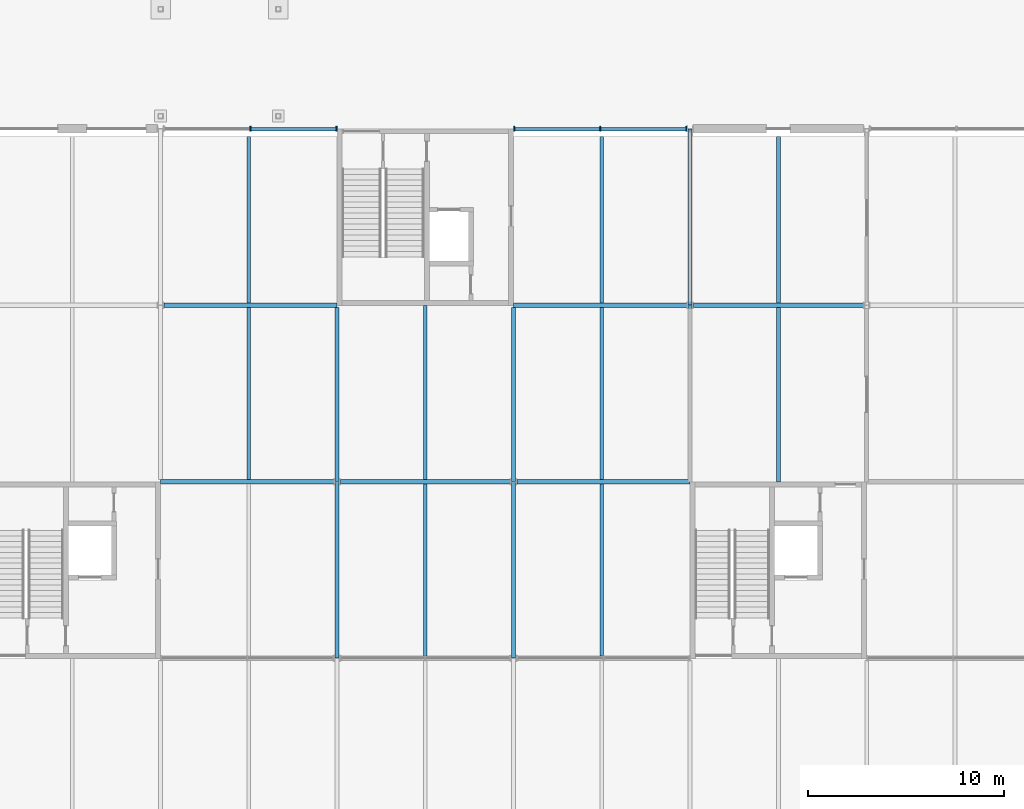
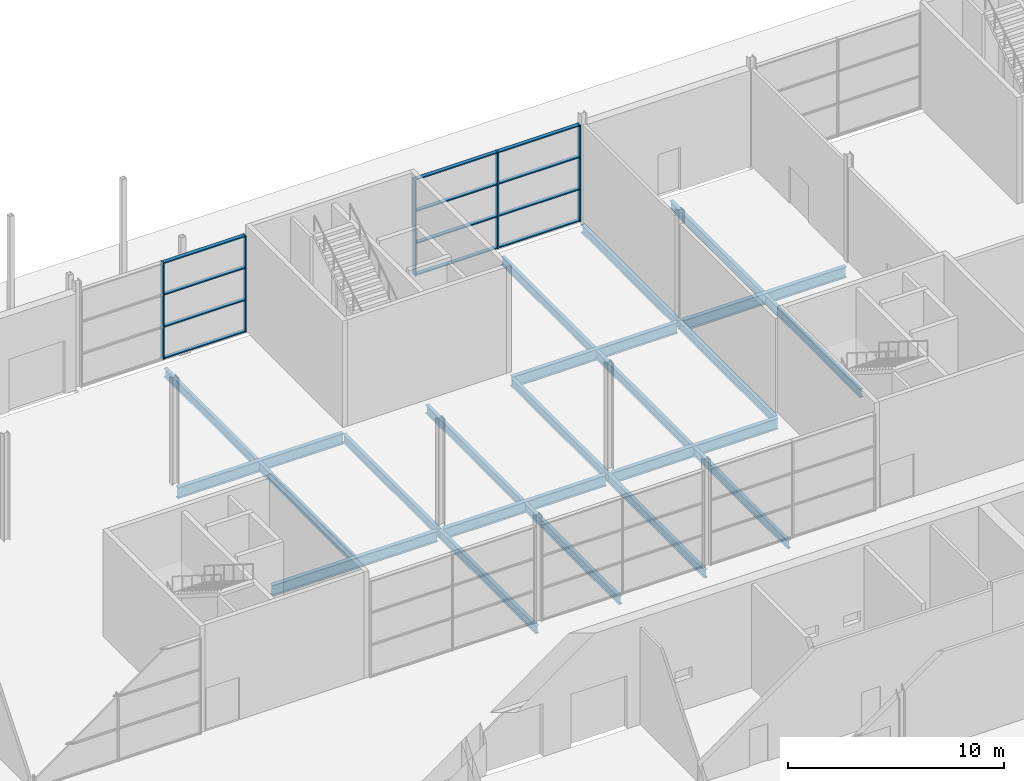
# One storey, part 47 of 97: 21 beams, 17 members, 2 elements without a shape of their own.
"""IFC4 building model written with IfcOpenShell, lengths in metres."""

from ifc_helpers import new_model, si_unit, direction, frame, origin, origin_2d, place, context, subcontext, project, spatial, rectangle, i_section, extrude, material, layer, layer_set, material_profile, profile_set, type_object, element, aggregate, save


model = new_model("IFC4")

# Units and contexts
model_context = context("Model", 3, precision=1e-05, world=origin(), true_north=direction((0.0, 1.0)))
body_context = subcontext(model_context, "Body", "Model", "MODEL_VIEW")
ifc_project = project(units=[si_unit("LENGTHUNIT", "METRE"), si_unit("AREAUNIT", "SQUARE_METRE"), si_unit("VOLUMEUNIT", "CUBIC_METRE"), si_unit("PLANEANGLEUNIT", "RADIAN"), si_unit("MASSUNIT", "GRAM", prefix="KILO")], contexts=[model_context])

# Site, building, storey
site_placement = place(None, origin())
site = spatial("IfcSite", under=ifc_project, at=site_placement, CompositionType="ELEMENT")
building_placement = place(site_placement, origin())
building = spatial("IfcBuilding", under=site, at=building_placement, Name="Corbel Yard City Hall", CompositionType="ELEMENT")
storey_placement = place(building_placement, origin())
storey = spatial("IfcBuildingStorey", under=building, at=storey_placement, Name="L00", CompositionType="ELEMENT", Elevation=0.0)

# Beams
ifc_material_1 = material(Name="Steel Grade 300 (300 MPa yield)", Category="steel")
ifc_material_profile_1 = material_profile(ifc_material_1, i_section(OverallWidth=0.19091796875, OverallDepth=0.4599609375, WebThickness=0.010009765625, FlangeThickness=0.01611328125, at=origin_2d()), Name="460UB82.1")
ifc_profile_set_1 = profile_set([ifc_material_profile_1], Name="Steel Grade 300 (300 MPa yield)")
beam_type_1 = type_object("IfcBeamType", Name="Beam 460UB82.1", PredefinedType="BEAM", material=ifc_profile_set_1)
beam_1_placement = place(storey_placement, frame((99.0, 90.0078125, -0.47998046875), z_axis=(0.0, 1.0, 0.0), x_axis=(-1.0, 0.0, 0.0)))
element("IfcBeam", 1, at=beam_1_placement, inside=storey, type_object=beam_type_1, Name="Beam 460UB82.1 SB2 L00deck", PredefinedType="BEAM", context=body_context, shape_type="SweptSolid", body=[
    extrude(i_section(OverallWidth=0.19091796875, OverallDepth=0.4599609375, WebThickness=0.010009765625, FlangeThickness=0.01611328125, at=origin_2d()), origin(), (0.0, 0.0, 1.0), 8.984375),
])
beam_2_placement = place(storey_placement, frame((99.0, 99.0078125, -0.47998046875), z_axis=(0.0, 1.0, 0.0), x_axis=(-1.0, 0.0, 0.0)))
element("IfcBeam", 2, at=beam_2_placement, inside=storey, type_object=beam_type_1, Name="Beam 460UB82.1 SB2 L00deck", PredefinedType="BEAM", context=body_context, shape_type="SweptSolid", body=[
    extrude(i_section(OverallWidth=0.19091796875, OverallDepth=0.4599609375, WebThickness=0.010009765625, FlangeThickness=0.01611328125, at=origin_2d()), origin(), (0.0, 0.0, 1.0), 8.877685546875),
])
beam_3_placement = place(storey_placement, frame((108.0, 90.0078125, -0.47998046875), z_axis=(0.0, 1.0, 0.0), x_axis=(-1.0, 0.0, 0.0)))
element("IfcBeam", 3, at=beam_3_placement, inside=storey, type_object=beam_type_1, Name="Beam 460UB82.1 SB2 L00deck", PredefinedType="BEAM", context=body_context, shape_type="SweptSolid", body=[
    extrude(i_section(OverallWidth=0.19091796875, OverallDepth=0.4599609375, WebThickness=0.010009765625, FlangeThickness=0.01611328125, at=origin_2d()), origin(), (0.0, 0.0, 1.0), 8.984375),
])
for number, where, z_axis, x_axis, name in (
    (4, (108.0, 99.0078125, -0.47998046875), (0.0, 1.0, 0.0), (-1.0, 0.0, 0.0), "Beam 460UB82.1 SB2 L00deck"),
    (5, (117.0, 99.114501953125, -0.47998046875), (0.0, 1.0, 0.0), (-1.0, 0.0, 0.0), "Beam 460UB82.1 SB2 L00deck"),
):
    element("IfcBeam", number, at=place(storey_placement, frame(where, z_axis=z_axis, x_axis=x_axis)), inside=storey, type_object=beam_type_1, Name=name, PredefinedType="BEAM", context=body_context, shape_type="SweptSolid", body=[
        extrude(i_section(OverallWidth=0.19091796875, OverallDepth=0.4599609375, WebThickness=0.010009765625, FlangeThickness=0.01611328125, at=origin_2d()), origin(), (0.0, 0.0, 1.0), 8.877685546875),
    ])
beam_4_placement = place(storey_placement, frame((117.0, 108.0078125, -0.47998046875), z_axis=(0.0, 1.0, 0.0), x_axis=(-1.0, 0.0, 0.0)))
element("IfcBeam", 6, at=beam_4_placement, inside=storey, type_object=beam_type_1, Name="Beam 460UB82.1 SB2 L00deck", PredefinedType="BEAM", context=body_context, shape_type="SweptSolid", body=[
    extrude(i_section(OverallWidth=0.19091796875, OverallDepth=0.4599609375, WebThickness=0.010009765625, FlangeThickness=0.01611328125, at=origin_2d()), origin(), (0.0, 0.0, 1.0), 8.984375),
])
ifc_material_profile_2 = material_profile(ifc_material_1, i_section(OverallWidth=0.22900390625, OverallDepth=0.612060546875, WebThickness=0.011962890625, FlangeThickness=0.01953125, at=origin_2d()), Name="610UB125")
ifc_profile_set_2 = profile_set([ifc_material_profile_2], Name="Steel Grade 300 (300 MPa yield)")
beam_type_2 = type_object("IfcBeamType", Name="Girder 610UB125", PredefinedType="BEAM", material=ifc_profile_set_2)
beam_5_placement = place(storey_placement, frame((90.0, 99.0, -0.555908203125), z_axis=(1.0, 0.0, 0.0), x_axis=(0.0, 1.0, 0.0)))
element("IfcBeam", 7, at=beam_5_placement, inside=storey, type_object=beam_type_2, Name="Girder 610UB125 GB1 L00deck", PredefinedType="BEAM", context=body_context, shape_type="SweptSolid", body=[
    extrude(i_section(OverallWidth=0.22900390625, OverallDepth=0.612060546875, WebThickness=0.011962890625, FlangeThickness=0.01953125, at=origin_2d()), origin(), (0.0, 0.0, 1.0), 8.83642578125),
])
beam_6_placement = place(storey_placement, frame((99.16357421875, 99.0, -0.555908203125), z_axis=(1.0, 0.0, 0.0), x_axis=(0.0, 1.0, 0.0)))
element("IfcBeam", 8, at=beam_6_placement, inside=storey, type_object=beam_type_2, Name="Girder 610UB125 GB1 L00deck", PredefinedType="BEAM", context=body_context, shape_type="SweptSolid", body=[
    extrude(i_section(OverallWidth=0.22900390625, OverallDepth=0.612060546875, WebThickness=0.011962890625, FlangeThickness=0.01953125, at=origin_2d()), origin(), (0.0, 0.0, 1.0), 8.6728515625),
])
for number, where, z_axis, x_axis, name in (
    (9, (108.16357421875, 99.0, -0.555908203125), (1.0, 0.0, 0.0), (0.0, 1.0, 0.0), "Girder 610UB125 GB1 L00deck"),
    (10, (90.16357421875, 108.0, -0.555908203125), (1.0, 0.0, 0.0), (0.0, 1.0, 0.0), "Girder 610UB125 GB1 L00deck"),
    (11, (108.0, 108.0, -0.555908203125), (1.0, 0.0, 0.0), (0.0, 1.0, 0.0), "Girder 610UB125 GB1 L00deck"),
):
    element("IfcBeam", number, at=place(storey_placement, frame(where, z_axis=z_axis, x_axis=x_axis)), inside=storey, type_object=beam_type_2, Name=name, PredefinedType="BEAM", context=body_context, shape_type="SweptSolid", body=[
        extrude(i_section(OverallWidth=0.22900390625, OverallDepth=0.612060546875, WebThickness=0.011962890625, FlangeThickness=0.01953125, at=origin_2d()), origin(), (0.0, 0.0, 1.0), 8.83642578125),
    ])
beam_7_placement = place(storey_placement, frame((117.16357421875, 108.0, -0.555908203125), z_axis=(1.0, 0.0, 0.0), x_axis=(0.0, 1.0, 0.0)))
element("IfcBeam", 12, at=beam_7_placement, inside=storey, type_object=beam_type_2, Name="Girder 610UB125 GB1 L00deck", PredefinedType="BEAM", context=body_context, shape_type="SweptSolid", body=[
    extrude(i_section(OverallWidth=0.22900390625, OverallDepth=0.612060546875, WebThickness=0.011962890625, FlangeThickness=0.01953125, at=origin_2d()), origin(), (0.0, 0.0, 1.0), 8.6728515625),
])

# Curtain wall, members
ifc_material_2 = material(Name="Aluminium extrusion", Category="aluminium")
ifc_layer = layer(ifc_material_2, 0.25)
ifc_layer_set = layer_set([ifc_layer], Name="Aluminium extrusion")
curtain_wall_type = type_object("IfcCurtainWallType", Name="CW4", PredefinedType="USERDEFINED", material=ifc_layer_set)
curtain_wall_1_placement = place(storey_placement, origin())
curtain_wall_1 = element("IfcCurtainWall", 13, at=curtain_wall_1_placement, inside=storey, type_object=curtain_wall_type, Name="Curtain wall CW4 L00", ObjectType="CURTAIN WALL", PredefinedType="USERDEFINED")
ifc_material_profile_3 = material_profile(ifc_material_2, rectangle(XDim=0.25, YDim=0.06494140625, at=origin_2d()), Name="250x65")
ifc_profile_set_3 = profile_set([ifc_material_profile_3], Name="Aluminium extrusion")
member_type_1 = type_object("IfcMemberType", Name="ML4", PredefinedType="MULLION", material=ifc_profile_set_3)
member_1_placement = place(storey_placement, frame((94.578857421875, 117.0, 0.0), z_axis=(0.0, 0.0, 1.0), x_axis=(0.0, 1.0, 0.0)))
member_1 = element("IfcMember", 14, at=member_1_placement, type_object=member_type_1, Name="CW4 mullion 2", PredefinedType="MULLION", context=body_context, shape_type="SweptSolid", body=[
    extrude(rectangle(XDim=0.25, YDim=0.06494140625, at=origin_2d()), origin(), (0.0, 0.0, 1.0), 5.444091796875),
])
member_2_placement = place(storey_placement, frame((98.967529296875, 117.0, 0.0), z_axis=(0.0, 0.0, 1.0), x_axis=(0.0, 1.0, 0.0)))
member_2 = element("IfcMember", 15, at=member_2_placement, type_object=member_type_1, Name="CW4 mullion 3", PredefinedType="MULLION", context=body_context, shape_type="SweptSolid", body=[
    extrude(rectangle(XDim=0.25, YDim=0.06494140625, at=origin_2d()), origin(), (0.0, 0.0, 1.0), 5.444091796875),
])

curtain_wall_2_placement = place(storey_placement, origin())
curtain_wall_2 = element("IfcCurtainWall", 16, at=curtain_wall_2_placement, inside=storey, type_object=curtain_wall_type, Name="Curtain wall CW4 L00", ObjectType="CURTAIN WALL", PredefinedType="USERDEFINED")
member_3_placement = place(storey_placement, frame((108.032470703125, 117.0, 0.0), z_axis=(0.0, 0.0, 1.0), x_axis=(0.0, 1.0, 0.0)))
member_3 = element("IfcMember", 17, at=member_3_placement, type_object=member_type_1, Name="CW4 mullion 1", PredefinedType="MULLION", context=body_context, shape_type="SweptSolid", body=[
    extrude(rectangle(XDim=0.25, YDim=0.06494140625, at=origin_2d()), origin(), (0.0, 0.0, 1.0), 5.444091796875),
])
member_4_placement = place(storey_placement, frame((112.421142578125, 117.0, 0.0), z_axis=(0.0, 0.0, 1.0), x_axis=(0.0, 1.0, 0.0)))
member_4 = element("IfcMember", 18, at=member_4_placement, type_object=member_type_1, Name="CW4 mullion 2", PredefinedType="MULLION", context=body_context, shape_type="SweptSolid", body=[
    extrude(rectangle(XDim=0.25, YDim=0.06494140625, at=origin_2d()), origin(), (0.0, 0.0, 1.0), 5.444091796875),
])
member_5_placement = place(storey_placement, frame((116.81005859375, 117.0, 0.0), z_axis=(0.0, 0.0, 1.0), x_axis=(0.0, 1.0, 0.0)))
member_5 = element("IfcMember", 19, at=member_5_placement, type_object=member_type_1, Name="CW4 mullion 3", PredefinedType="MULLION", context=body_context, shape_type="SweptSolid", body=[
    extrude(rectangle(XDim=0.25, YDim=0.06494140625, at=origin_2d()), origin(), (0.0, 0.0, 1.0), 5.444091796875),
])

# Beams
ifc_material_profile_4 = material_profile(ifc_material_1, i_section(OverallWidth=0.19091796875, OverallDepth=0.4599609375, WebThickness=0.010009765625, FlangeThickness=0.01611328125, at=origin_2d()), Name="460UB82.1")
ifc_profile_set_4 = profile_set([ifc_material_profile_4], Name="Steel Grade 300 (300 MPa yield)")
beam_type_3 = type_object("IfcBeamType", Name="Secondary beam 460UB82.1", PredefinedType="JOIST", material=ifc_profile_set_4)
beam_8_placement = place(storey_placement, frame((94.5, 99.114501953125, -0.47998046875), z_axis=(0.0, 1.0, 0.0), x_axis=(-1.0, 0.0, 0.0)))
element("IfcBeam", 20, at=beam_8_placement, inside=storey, type_object=beam_type_3, Name="Secondary beam 460UB82.1 SB1 L00deck", PredefinedType="JOIST", context=body_context, shape_type="SweptSolid", body=[
    extrude(i_section(OverallWidth=0.19091796875, OverallDepth=0.4599609375, WebThickness=0.010009765625, FlangeThickness=0.01611328125, at=origin_2d()), origin(), (0.0, 0.0, 1.0), 8.77099609375),
])
beam_9_placement = place(storey_placement, frame((94.5, 108.114501953125, -0.47998046875), z_axis=(0.0, 1.0, 0.0), x_axis=(-1.0, 0.0, 0.0)))
element("IfcBeam", 21, at=beam_9_placement, inside=storey, type_object=beam_type_3, Name="Secondary beam 460UB82.1 SB1 L00deck", PredefinedType="JOIST", context=body_context, shape_type="SweptSolid", body=[
    extrude(i_section(OverallWidth=0.19091796875, OverallDepth=0.4599609375, WebThickness=0.010009765625, FlangeThickness=0.01611328125, at=origin_2d()), origin(), (0.0, 0.0, 1.0), 8.485595703125),
])
beam_10_placement = place(storey_placement, frame((103.5, 90.114501953125, -0.47998046875), z_axis=(0.0, 1.0, 0.0), x_axis=(-1.0, 0.0, 0.0)))
element("IfcBeam", 22, at=beam_10_placement, inside=storey, type_object=beam_type_3, Name="Secondary beam 460UB82.1 SB1 L00deck", PredefinedType="JOIST", context=body_context, shape_type="SweptSolid", body=[
    extrude(i_section(OverallWidth=0.19091796875, OverallDepth=0.4599609375, WebThickness=0.010009765625, FlangeThickness=0.01611328125, at=origin_2d()), origin(), (0.0, 0.0, 1.0), 8.77099609375),
])
beam_11_placement = place(storey_placement, frame((103.5, 99.114501953125, -0.47998046875), z_axis=(0.0, 1.0, 0.0), x_axis=(-1.0, 0.0, 0.0)))
element("IfcBeam", 23, at=beam_11_placement, inside=storey, type_object=beam_type_3, Name="Secondary beam 460UB82.1 SB1 L00deck", PredefinedType="JOIST", context=body_context, shape_type="SweptSolid", body=[
    extrude(i_section(OverallWidth=0.19091796875, OverallDepth=0.4599609375, WebThickness=0.010009765625, FlangeThickness=0.01611328125, at=origin_2d()), origin(), (0.0, 0.0, 1.0), 8.885498046875),
])
for number, where, z_axis, x_axis, name in (
    (24, (112.5, 90.114501953125, -0.47998046875), (0.0, 1.0, 0.0), (-1.0, 0.0, 0.0), "Secondary beam 460UB82.1 SB1 L00deck"),
    (25, (112.5, 99.114501953125, -0.47998046875), (0.0, 1.0, 0.0), (-1.0, 0.0, 0.0), "Secondary beam 460UB82.1 SB1 L00deck"),
):
    element("IfcBeam", number, at=place(storey_placement, frame(where, z_axis=z_axis, x_axis=x_axis)), inside=storey, type_object=beam_type_3, Name=name, PredefinedType="JOIST", context=body_context, shape_type="SweptSolid", body=[
        extrude(i_section(OverallWidth=0.19091796875, OverallDepth=0.4599609375, WebThickness=0.010009765625, FlangeThickness=0.01611328125, at=origin_2d()), origin(), (0.0, 0.0, 1.0), 8.77099609375),
    ])
beam_12_placement = place(storey_placement, frame((112.5, 108.114501953125, -0.47998046875), z_axis=(0.0, 1.0, 0.0), x_axis=(-1.0, 0.0, 0.0)))
element("IfcBeam", 26, at=beam_12_placement, inside=storey, type_object=beam_type_3, Name="Secondary beam 460UB82.1 SB1 L00deck", PredefinedType="JOIST", context=body_context, shape_type="SweptSolid", body=[
    extrude(i_section(OverallWidth=0.19091796875, OverallDepth=0.4599609375, WebThickness=0.010009765625, FlangeThickness=0.01611328125, at=origin_2d()), origin(), (0.0, 0.0, 1.0), 8.485595703125),
])
beam_13_placement = place(storey_placement, frame((121.5, 99.0, -0.47998046875), z_axis=(0.0, 1.0, 0.0), x_axis=(-1.0, 0.0, 0.0)))
element("IfcBeam", 27, at=beam_13_placement, inside=storey, type_object=beam_type_3, Name="Secondary beam 460UB82.1 SB1 L00deck", PredefinedType="JOIST", context=body_context, shape_type="SweptSolid", body=[
    extrude(i_section(OverallWidth=0.19091796875, OverallDepth=0.4599609375, WebThickness=0.010009765625, FlangeThickness=0.01611328125, at=origin_2d()), origin(), (0.0, 0.0, 1.0), 8.885498046875),
])
beam_14_placement = place(storey_placement, frame((121.5, 108.114501953125, -0.47998046875), z_axis=(0.0, 1.0, 0.0), x_axis=(-1.0, 0.0, 0.0)))
element("IfcBeam", 28, at=beam_14_placement, inside=storey, type_object=beam_type_3, Name="Secondary beam 460UB82.1 SB1 L00deck", PredefinedType="JOIST", context=body_context, shape_type="SweptSolid", body=[
    extrude(i_section(OverallWidth=0.19091796875, OverallDepth=0.4599609375, WebThickness=0.010009765625, FlangeThickness=0.01611328125, at=origin_2d()), origin(), (0.0, 0.0, 1.0), 8.485595703125),
])

# Member
ifc_material_profile_5 = material_profile(ifc_material_2, rectangle(XDim=0.199951171875, YDim=0.06494140625, at=origin_2d()), Name="200x65")
ifc_profile_set_5 = profile_set([ifc_material_profile_5], Name="Aluminium extrusion")
member_type_2 = type_object("IfcMemberType", Name="TR4", PredefinedType="USERDEFINED", material=ifc_profile_set_5)
member_6_placement = place(storey_placement, frame((94.611328125, 117.0, 0.032470703125), z_axis=(1.0, 0.0, 0.0), x_axis=(0.0, 1.0, 0.0)))
member_6 = element("IfcMember", 29, at=member_6_placement, type_object=member_type_2, Name="CW4 transom 2.1", ObjectType="TRANSOM", PredefinedType="USERDEFINED", context=body_context, shape_type="SweptSolid", body=[
    extrude(rectangle(XDim=0.199951171875, YDim=0.06494140625, at=origin_2d()), origin(), (0.0, 0.0, 1.0), 4.32373046875),
])

member_7_placement = place(storey_placement, frame((94.611328125, 117.0, 1.814697265625), z_axis=(1.0, 0.0, 0.0), x_axis=(0.0, 1.0, 0.0)))
member_7 = element("IfcMember", 30, at=member_7_placement, type_object=member_type_2, Name="CW4 transom 2.2", ObjectType="TRANSOM", PredefinedType="USERDEFINED", context=body_context, shape_type="SweptSolid", body=[
    extrude(rectangle(XDim=0.199951171875, YDim=0.06494140625, at=origin_2d()), origin(), (0.0, 0.0, 1.0), 4.32373046875),
])

member_8_placement = place(storey_placement, frame((94.611328125, 117.0, 3.62939453125), z_axis=(1.0, 0.0, 0.0), x_axis=(0.0, 1.0, 0.0)))
member_8 = element("IfcMember", 31, at=member_8_placement, type_object=member_type_2, Name="CW4 transom 2.3", ObjectType="TRANSOM", PredefinedType="USERDEFINED", context=body_context, shape_type="SweptSolid", body=[
    extrude(rectangle(XDim=0.199951171875, YDim=0.06494140625, at=origin_2d()), origin(), (0.0, 0.0, 1.0), 4.32373046875),
])

member_9_placement = place(storey_placement, frame((94.611328125, 117.0, 5.41162109375), z_axis=(1.0, 0.0, 0.0), x_axis=(0.0, 1.0, 0.0)))
member_9 = element("IfcMember", 32, at=member_9_placement, type_object=member_type_2, Name="CW4 transom 2.4", ObjectType="TRANSOM", PredefinedType="USERDEFINED", context=body_context, shape_type="SweptSolid", body=[
    extrude(rectangle(XDim=0.199951171875, YDim=0.06494140625, at=origin_2d()), origin(), (0.0, 0.0, 1.0), 4.32373046875),
])

aggregate(curtain_wall_1, [member_1, member_2, member_6, member_7, member_8, member_9])

member_10_placement = place(storey_placement, frame((108.06494140625, 117.0, 0.032470703125), z_axis=(1.0, 0.0, 0.0), x_axis=(0.0, 1.0, 0.0)))
member_10 = element("IfcMember", 33, at=member_10_placement, type_object=member_type_2, Name="CW4 transom 1.1", ObjectType="TRANSOM", PredefinedType="USERDEFINED", context=body_context, shape_type="SweptSolid", body=[
    extrude(rectangle(XDim=0.199951171875, YDim=0.06494140625, at=origin_2d()), origin(), (0.0, 0.0, 1.0), 4.32373046875),
])

member_11_placement = place(storey_placement, frame((108.06494140625, 117.0, 1.814697265625), z_axis=(1.0, 0.0, 0.0), x_axis=(0.0, 1.0, 0.0)))
member_11 = element("IfcMember", 34, at=member_11_placement, type_object=member_type_2, Name="CW4 transom 1.2", ObjectType="TRANSOM", PredefinedType="USERDEFINED", context=body_context, shape_type="SweptSolid", body=[
    extrude(rectangle(XDim=0.199951171875, YDim=0.06494140625, at=origin_2d()), origin(), (0.0, 0.0, 1.0), 4.32373046875),
])

member_12_placement = place(storey_placement, frame((108.06494140625, 117.0, 3.62939453125), z_axis=(1.0, 0.0, 0.0), x_axis=(0.0, 1.0, 0.0)))
member_12 = element("IfcMember", 35, at=member_12_placement, type_object=member_type_2, Name="CW4 transom 1.3", ObjectType="TRANSOM", PredefinedType="USERDEFINED", context=body_context, shape_type="SweptSolid", body=[
    extrude(rectangle(XDim=0.199951171875, YDim=0.06494140625, at=origin_2d()), origin(), (0.0, 0.0, 1.0), 4.32373046875),
])

member_13_placement = place(storey_placement, frame((108.06494140625, 117.0, 5.41162109375), z_axis=(1.0, 0.0, 0.0), x_axis=(0.0, 1.0, 0.0)))
member_13 = element("IfcMember", 36, at=member_13_placement, type_object=member_type_2, Name="CW4 transom 1.4", ObjectType="TRANSOM", PredefinedType="USERDEFINED", context=body_context, shape_type="SweptSolid", body=[
    extrude(rectangle(XDim=0.199951171875, YDim=0.06494140625, at=origin_2d()), origin(), (0.0, 0.0, 1.0), 4.32373046875),
])

member_14_placement = place(storey_placement, frame((112.453857421875, 117.0, 0.032470703125), z_axis=(1.0, 0.0, 0.0), x_axis=(0.0, 1.0, 0.0)))
member_14 = element("IfcMember", 37, at=member_14_placement, type_object=member_type_2, Name="CW4 transom 2.1", ObjectType="TRANSOM", PredefinedType="USERDEFINED", context=body_context, shape_type="SweptSolid", body=[
    extrude(rectangle(XDim=0.199951171875, YDim=0.06494140625, at=origin_2d()), origin(), (0.0, 0.0, 1.0), 4.32373046875),
])

member_15_placement = place(storey_placement, frame((112.453857421875, 117.0, 1.814697265625), z_axis=(1.0, 0.0, 0.0), x_axis=(0.0, 1.0, 0.0)))
member_15 = element("IfcMember", 38, at=member_15_placement, type_object=member_type_2, Name="CW4 transom 2.2", ObjectType="TRANSOM", PredefinedType="USERDEFINED", context=body_context, shape_type="SweptSolid", body=[
    extrude(rectangle(XDim=0.199951171875, YDim=0.06494140625, at=origin_2d()), origin(), (0.0, 0.0, 1.0), 4.32373046875),
])

member_16_placement = place(storey_placement, frame((112.453857421875, 117.0, 3.62939453125), z_axis=(1.0, 0.0, 0.0), x_axis=(0.0, 1.0, 0.0)))
member_16 = element("IfcMember", 39, at=member_16_placement, type_object=member_type_2, Name="CW4 transom 2.3", ObjectType="TRANSOM", PredefinedType="USERDEFINED", context=body_context, shape_type="SweptSolid", body=[
    extrude(rectangle(XDim=0.199951171875, YDim=0.06494140625, at=origin_2d()), origin(), (0.0, 0.0, 1.0), 4.32373046875),
])

member_17_placement = place(storey_placement, frame((112.453857421875, 117.0, 5.41162109375), z_axis=(1.0, 0.0, 0.0), x_axis=(0.0, 1.0, 0.0)))
member_17 = element("IfcMember", 40, at=member_17_placement, type_object=member_type_2, Name="CW4 transom 2.4", ObjectType="TRANSOM", PredefinedType="USERDEFINED", context=body_context, shape_type="SweptSolid", body=[
    extrude(rectangle(XDim=0.199951171875, YDim=0.06494140625, at=origin_2d()), origin(), (0.0, 0.0, 1.0), 4.32373046875),
])

aggregate(curtain_wall_2, [member_3, member_4, member_5, member_10, member_11, member_12, member_13, member_14, member_15, member_16, member_17])

save(model, "model.ifc")
